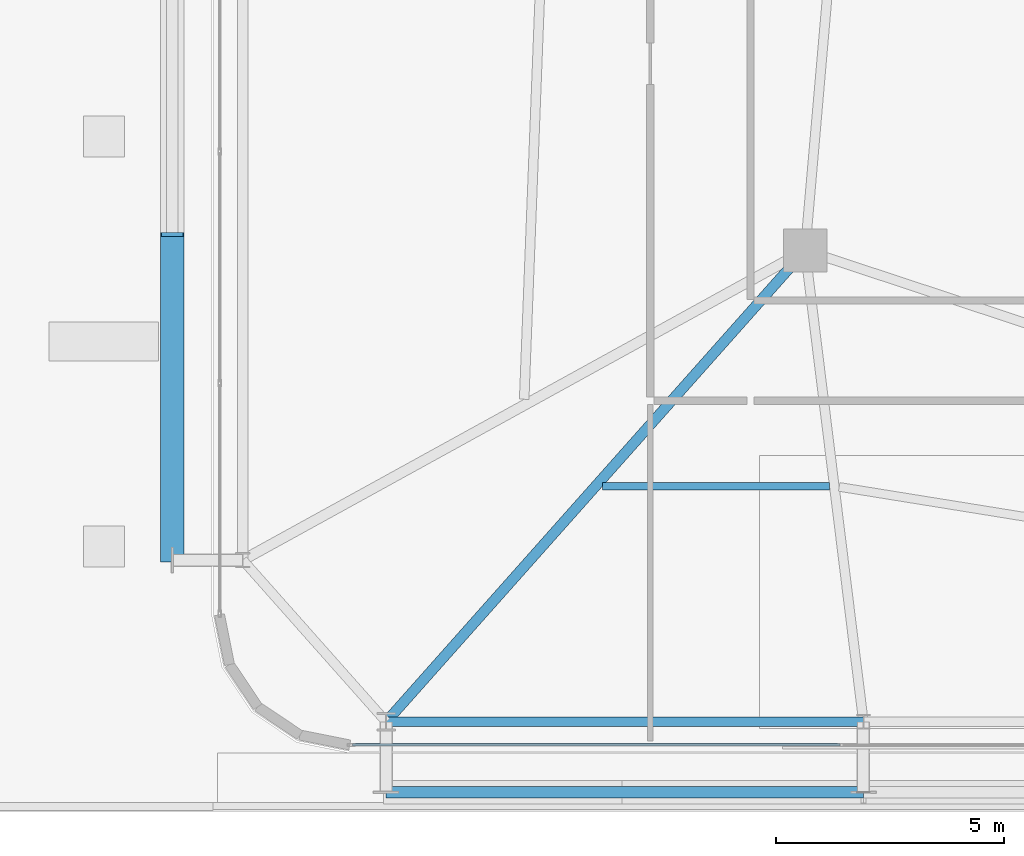
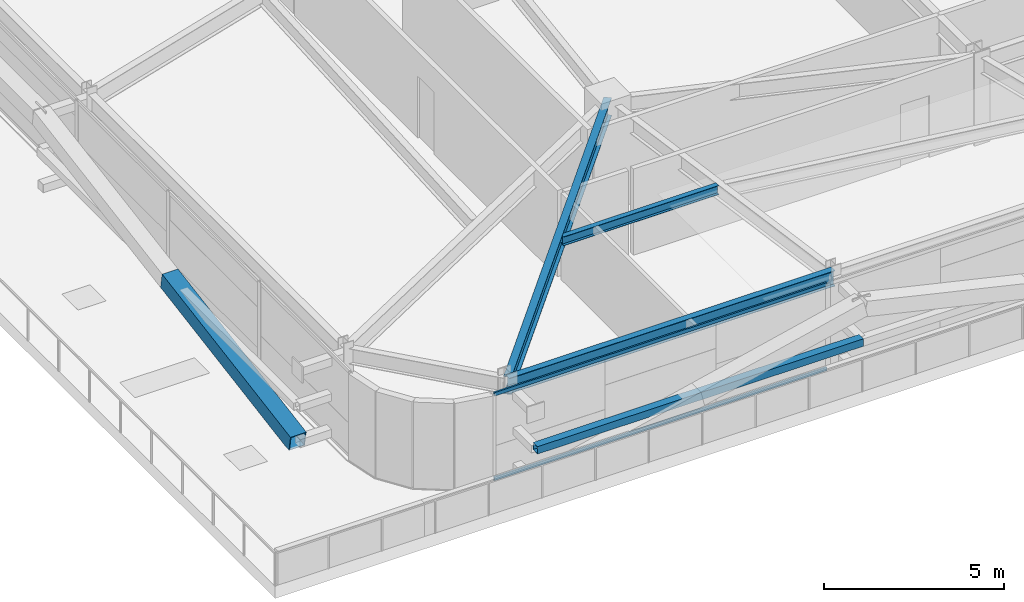
# One storey, part 6 of 56: 4 members, 3 beams, 1 element without a shape of its own.
"""IFC4 building model written with IfcOpenShell, lengths in metres."""

from ifc_helpers import new_model, si_unit, direction, frame, origin, origin_2d, place, context, subcontext, project, spatial, hollow_rectangle, i_section, extrude, source, transform, mapped, material, layer, layer_set, material_profile, profile_set, type_object, element, aggregate, save


model = new_model("IFC4")

# Units and contexts
model_context = context("Model", 3, precision=1e-05, world=origin(), true_north=direction((0.0, 1.0)))
body_context = subcontext(model_context, "Body", "Model", "MODEL_VIEW")
ifc_project = project(units=[si_unit("LENGTHUNIT", "METRE"), si_unit("AREAUNIT", "SQUARE_METRE"), si_unit("VOLUMEUNIT", "CUBIC_METRE"), si_unit("PLANEANGLEUNIT", "RADIAN"), si_unit("MASSUNIT", "GRAM", prefix="KILO")], contexts=[model_context])

# Site, building, storey
site_placement = place(None, origin())
site = spatial("IfcSite", under=ifc_project, at=site_placement, CompositionType="ELEMENT")
building_placement = place(site_placement, origin())
building = spatial("IfcBuilding", under=site, at=building_placement, Name="Taldren Reach Tower", CompositionType="ELEMENT")
storey_placement = place(building_placement, frame((0.0, 0.0, 16.800048828125)))
storey = spatial("IfcBuildingStorey", under=building, at=storey_placement, Name="L04", CompositionType="ELEMENT", Elevation=16.800048828125)

# Beams
ifc_material_1 = material(Name="Steel Gr 350 (350PLUS)", Category="steel")
ifc_material_profile_1 = material_profile(ifc_material_1, i_section(OverallWidth=0.208984375, OverallDepth=0.528076171875, WebThickness=0.009521484375, FlangeThickness=0.01318359375, at=origin_2d()), Name="530UB82.0")
ifc_profile_set_1 = profile_set([ifc_material_profile_1], Name="Steel Gr 350 (350PLUS)")
beam_type_1 = type_object("IfcBeamType", Name="SP-UB530B", PredefinedType="SPANDREL", material=ifc_profile_set_1)
shared_shape_1 = source(origin(), body_context, "Body", "SweptSolid", [
    extrude(i_section(OverallWidth=0.208984375, OverallDepth=0.528076171875, WebThickness=0.009521484375, FlangeThickness=0.01318359375, at=origin_2d()), origin(), (0.0, 0.0, 1.0), 10.47998046875),
])
beam_1_placement = place(storey_placement, frame((8.800048828125, 2.14990234375, 2.666015625), z_axis=(1.0, 0.0, 0.0), x_axis=(0.0, 1.0, 0.0)))
element("IfcBeam", 1, at=beam_1_placement, inside=storey, type_object=beam_type_1, Name="Perimeter spandrel B1 S1-S2 L04", PredefinedType="SPANDREL", context=body_context, shape_type="MappedRepresentation", body=[
    mapped(shared_shape_1, transform((0.0, 0.0, 0.0), scale=1.0)),
])
ifc_material_profile_2 = material_profile(ifc_material_1, i_section(OverallWidth=0.22802734375, OverallDepth=0.60205078125, WebThickness=0.010498046875, FlangeThickness=0.014892578125, at=origin_2d()), Name="610UB101")
ifc_profile_set_2 = profile_set([ifc_material_profile_2], Name="Steel Gr 350 (350PLUS)")
beam_type_2 = type_object("IfcBeamType", Name="BM-UB610B", PredefinedType="BEAM", material=ifc_profile_set_2)
shared_shape_2 = source(origin(), body_context, "Body", "SweptSolid", [
    extrude(i_section(OverallWidth=0.22802734375, OverallDepth=0.60205078125, WebThickness=0.010498046875, FlangeThickness=0.014892578125, at=origin_2d()), origin(), (0.0, 0.0, 1.0), 13.847900390625),
])
beam_2_placement = place(storey_placement, frame((18.0, 12.5, 2.62890625), z_axis=(-0.664358367375, -0.747414182164, 0.0), x_axis=(0.747414182164, -0.664358367375, 0.0)))
element("IfcBeam", 2, at=beam_2_placement, inside=storey, type_object=beam_type_2, Name="Primary floor girder B1-S1 L04", PredefinedType="BEAM", context=body_context, shape_type="MappedRepresentation", body=[
    mapped(shared_shape_2, transform((0.0, 0.0, 0.0), scale=1.0)),
])
ifc_material_2 = material(Name="Steel Gr 300 (300PLUS, 300 MPa)", Category="steel")
ifc_material_profile_3 = material_profile(ifc_material_2, i_section(OverallWidth=0.166015625, OverallDepth=0.306884765625, WebThickness=0.006591796875, FlangeThickness=0.01171875, at=origin_2d()), Name="310UB46.2")
ifc_profile_set_3 = profile_set([ifc_material_profile_3], Name="Steel Gr 300 (300PLUS, 300 MPa)")
beam_type_3 = type_object("IfcBeamType", Name="JS-UB310", PredefinedType="JOIST", material=ifc_profile_set_3)
shared_shape_3 = source(origin(), body_context, "Body", "SweptSolid", [
    extrude(i_section(OverallWidth=0.166015625, OverallDepth=0.306884765625, WebThickness=0.006591796875, FlangeThickness=0.01171875, at=origin_2d()), origin(), (0.0, 0.0, 1.0), 4.982177734375),
])
beam_3_placement = place(storey_placement, frame((13.552490234375, 7.324951171875, 2.7763671875), z_axis=(1.0, 0.0, 0.0), x_axis=(0.0, 1.0, 0.0)))
element("IfcBeam", 3, at=beam_3_placement, inside=storey, type_object=beam_type_3, Name="Secondary floor joist B1 J1 L04", PredefinedType="JOIST", context=body_context, shape_type="MappedRepresentation", body=[
    mapped(shared_shape_3, transform((0.0, 0.0, 0.0), scale=1.0)),
])

# Members
ifc_material_3 = material(Name="Steel Gr 350 (C350L0)", Category="steel")
ifc_material_profile_4 = material_profile(ifc_material_3, hollow_rectangle(XDim=0.25, YDim=0.25, WallThickness=0.010009765625, at=origin_2d()), Name="250x250x10.0SHS")
ifc_profile_set_4 = profile_set([ifc_material_profile_4], Name="Steel Gr 350 (C350L0)")
member_type_1 = type_object("IfcMemberType", Name="MB-POST250", PredefinedType="POST", material=ifc_profile_set_4)
shared_shape_4 = source(origin(), body_context, "Body", "SweptSolid", [
    extrude(hollow_rectangle(XDim=0.25, YDim=0.25, WallThickness=0.010009765625, at=origin_2d()), origin(), (0.0, 0.0, 1.0), 10.47998046875),
])
member_1_placement = place(storey_placement, frame((8.800048828125, 0.60009765625, 1.43505859375), z_axis=(1.0, 0.0, 0.0), x_axis=(0.0, 1.0, 0.0)))
element("IfcMember", 4, at=member_1_placement, inside=storey, type_object=member_type_1, Name="Exoskeleton mid-height ring chord B1-S1 L04", PredefinedType="POST", context=body_context, shape_type="MappedRepresentation", body=[
    mapped(shared_shape_4, transform((0.0, 0.0, 0.0), scale=1.0)),
])
ifc_material_4 = material(Name="Steel Gr 450 (C450L0)", Category="steel")
ifc_material_profile_5 = material_profile(ifc_material_4, hollow_rectangle(XDim=0.510009765625, YDim=0.510009765625, WallThickness=0.02001953125, at=origin_2d()), Name="510x510x20.0SHS")
ifc_profile_set_5 = profile_set([ifc_material_profile_5], Name="Steel Gr 450 (C450L0)")
member_type_2 = type_object("IfcMemberType", Name="MB-EXO508", PredefinedType="BRACE", material=ifc_profile_set_5)
shared_shape_5 = source(origin(), body_context, "Body", "SweptSolid", [
    extrude(hollow_rectangle(XDim=0.510009765625, YDim=0.510009765625, WallThickness=0.02001953125, at=origin_2d()), origin(), (0.0, 0.0, 1.0), 7.252685546875),
])
member_2_placement = place(storey_placement, frame((4.10009765625, 5.699951171875, 0.219970703125), z_axis=(0.0, 0.985865800628, 0.167536930711), x_axis=(-1.0, 0.0, 0.0)))
element("IfcMember", 5, at=member_2_placement, inside=storey, type_object=member_type_2, Name="Exoskeleton Diagrid Brace B1-W1 L04", PredefinedType="BRACE", context=body_context, shape_type="MappedRepresentation", body=[
    mapped(shared_shape_5, transform((0.0, 0.0, 0.0), scale=1.0)),
])

# Curtain wall, members
ifc_material_5 = material(Name="Aluminium and Low-E Glass Unitised System", Category="aluminium")
ifc_layer = layer(ifc_material_5, 0.159912109375)
ifc_layer_set = layer_set([ifc_layer], Name="Aluminium and Low-E Glass Unitised System")
curtain_wall_type = type_object("IfcCurtainWallType", Name="CW-SYS-2", PredefinedType="NOTDEFINED", material=ifc_layer_set)
curtain_wall_placement = place(storey_placement, origin())
curtain_wall = element("IfcCurtainWall", 6, at=curtain_wall_placement, inside=storey, type_object=curtain_wall_type, Name="Unitised curtain wall CW-L04-S", PredefinedType="NOTDEFINED")
ifc_material_6 = material(Name="Anodised Aluminium 6063-T6", Category="aluminium")
ifc_material_profile_6 = material_profile(ifc_material_6, hollow_rectangle(XDim=0.054931640625, YDim=0.1201171875, WallThickness=0.0029296875, at=origin_2d()), Name="ALU-120x55x3RHS")
ifc_profile_set_6 = profile_set([ifc_material_profile_6], Name="Anodised Aluminium 6063-T6")
member_type_3 = type_object("IfcMemberType", Name="CW-TRN-135", PredefinedType="USERDEFINED", material=ifc_profile_set_6)
shared_shape_6 = source(origin(), body_context, "Body", "SweptSolid", [
    extrude(hollow_rectangle(XDim=0.054931640625, YDim=0.1201171875, WallThickness=0.0029296875, at=origin_2d()), origin(), (0.0, 0.0, 1.0), 10.70263671875),
])
member_3_placement = place(storey_placement, frame((8.06494140625, 1.639892578125, 0.02734375), z_axis=(1.0, 0.0, 0.0), x_axis=(0.0, 1.0, 0.0)))
member_3 = element("IfcMember", 7, at=member_3_placement, type_object=member_type_3, Name="CW-2 transom 1.1", ObjectType="TRANSOM", PredefinedType="USERDEFINED", context=body_context, shape_type="MappedRepresentation", body=[
    mapped(shared_shape_6, transform((0.0, 0.0, 0.0), scale=1.0)),
])
member_4_placement = place(storey_placement, frame((8.06494140625, 1.639892578125, 2.90234375), z_axis=(1.0, 0.0, 0.0), x_axis=(0.0, 1.0, 0.0)))
member_4 = element("IfcMember", 8, at=member_4_placement, type_object=member_type_3, Name="CW-2 transom 1.2", ObjectType="TRANSOM", PredefinedType="USERDEFINED", context=body_context, shape_type="MappedRepresentation", body=[
    mapped(shared_shape_6, transform((0.0, 0.0, 0.0), scale=1.0)),
])
aggregate(curtain_wall, [member_3, member_4])

save(model, "model.ifc")
